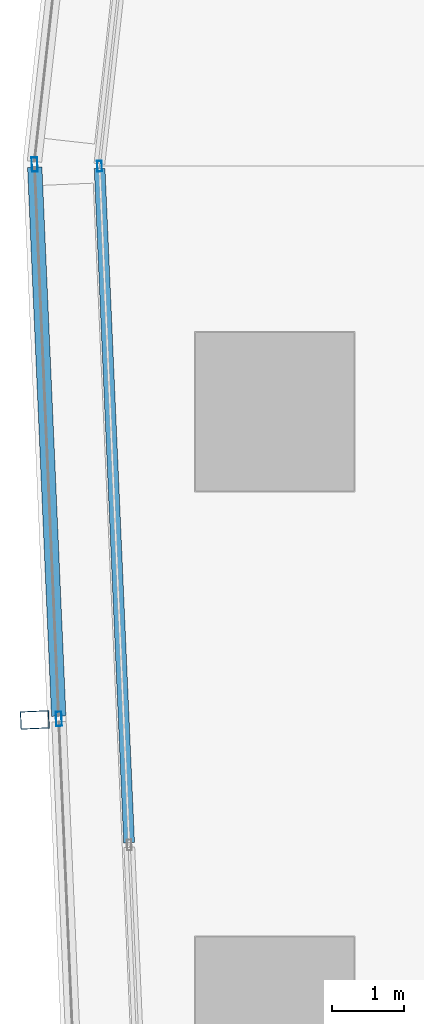
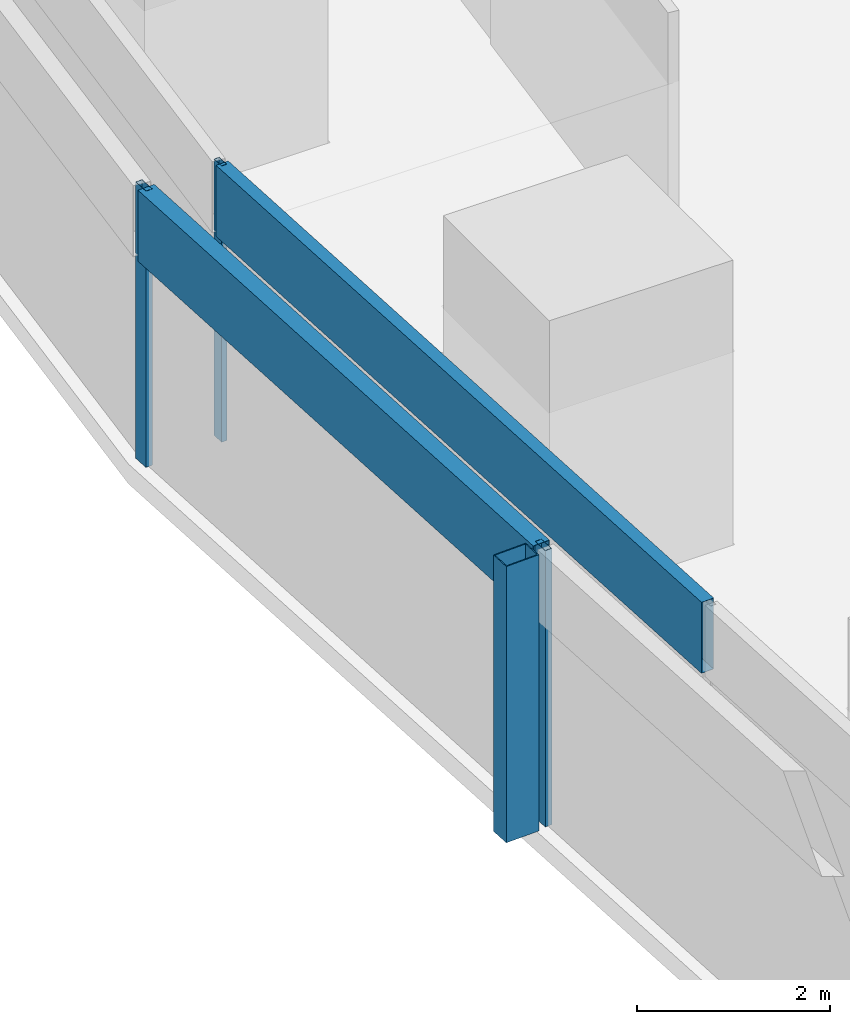
# One storey, part 14 of 44: 6 members, 2 elements without a shape of their own.
"""IFC4 building model written with IfcOpenShell, lengths in metres."""

from ifc_helpers import new_model, si_unit, direction, frame, origin, origin_2d, place, context, subcontext, project, spatial, hollow_rectangle, extrude, material, material_profile, profile_set, type_object, element, aggregate, save


model = new_model("IFC4")

# Units and contexts
model_context = context("Model", 3, precision=1e-05, world=origin(), true_north=direction((0.0, 1.0)))
body_context = subcontext(model_context, "Body", "Model", "MODEL_VIEW")
ifc_project = project(units=[si_unit("LENGTHUNIT", "METRE"), si_unit("AREAUNIT", "SQUARE_METRE"), si_unit("VOLUMEUNIT", "CUBIC_METRE"), si_unit("PLANEANGLEUNIT", "RADIAN"), si_unit("MASSUNIT", "GRAM", prefix="KILO")], contexts=[model_context])

# Site, building, storey
site_placement = place(None, origin())
site = spatial("IfcSite", under=ifc_project, at=site_placement, CompositionType="ELEMENT")
building_placement = place(site_placement, origin())
building = spatial("IfcBuilding", under=site, at=building_placement, Name="Rekha Terrace Tower", CompositionType="ELEMENT")
storey_placement = place(building_placement, frame((0.0, 0.0, 74.14990234375)))
storey = spatial("IfcBuildingStorey", under=building, at=storey_placement, Name="L18", CompositionType="ELEMENT", Elevation=74.14990234375)

# Curtain wall, member
ifc_material_1 = material(Name="Aluminium framing", Category="aluminium")
curtain_wall_type_1 = type_object("IfcCurtainWallType", Name="CW2 double skin outer glazing", PredefinedType="USERDEFINED", material=ifc_material_1)
curtain_wall_1_placement = place(storey_placement, origin())
curtain_wall_1 = element("IfcCurtainWall", 1, at=curtain_wall_1_placement, inside=storey, type_object=curtain_wall_type_1, Name="CW2 double skin outer glazing", ObjectType="DOUBLE SKIN OUTER GLAZING", PredefinedType="USERDEFINED")
ifc_material_2 = material(Name="Steel S355 with fluorocarbon finish", Category="steel")
ifc_material_profile_1 = material_profile(ifc_material_2, hollow_rectangle(XDim=0.25, YDim=0.39990234375, WallThickness=0.012451171875, at=origin_2d()), Name="RHS400x250x12.5")
ifc_profile_set_1 = profile_set([ifc_material_profile_1], Name="Steel S355 with fluorocarbon finish")
member_type_1 = type_object("IfcMemberType", Name="BL1 facade blade RHS 400 x 250", PredefinedType="USERDEFINED", material=ifc_profile_set_1)
member_1_placement = place(storey_placement, frame((5.064208984375, 37.715576171875, 0.0), z_axis=(0.0, 0.0, 1.0), x_axis=(0.04368215933, -0.999045478923, 0.0)))
member_1 = element("IfcMember", 2, at=member_1_placement, type_object=member_type_1, Name="Facade blade", ObjectType="FACADE BLADE", PredefinedType="USERDEFINED", context=body_context, shape_type="SweptSolid", body=[
    extrude(hollow_rectangle(XDim=0.25, YDim=0.39990234375, WallThickness=0.012451171875, at=origin_2d()), origin(), (0.0, 0.0, 1.0), 3.5),
])

# Curtain wall, members
curtain_wall_type_2 = type_object("IfcCurtainWallType", Name="CW1 double skin inner glazing", PredefinedType="USERDEFINED", material=ifc_material_1)
curtain_wall_2_placement = place(storey_placement, origin())
curtain_wall_2 = element("IfcCurtainWall", 3, at=curtain_wall_2_placement, inside=storey, type_object=curtain_wall_type_2, Name="CW1 double skin inner glazing", ObjectType="DOUBLE SKIN INNER GLAZING", PredefinedType="USERDEFINED")
ifc_material_3 = material(Name="Aluminium mullion section", Category="aluminium")
ifc_material_profile_2 = material_profile(ifc_material_3, hollow_rectangle(XDim=0.06494140625, YDim=0.14990234375, WallThickness=0.00390625, at=origin_2d()), Name="AL RHS 65x150")
ifc_profile_set_2 = profile_set([ifc_material_profile_2], Name="Aluminium mullion section")
member_type_2 = type_object("IfcMemberType", Name="CW1 mullion RHS 65 x 150", PredefinedType="MULLION", material=ifc_profile_set_2)
member_2_placement = place(storey_placement, frame((5.964111328125, 45.4111328125, 0.0), z_axis=(0.0, 0.0, 1.0), x_axis=(0.999045462133, 0.043682543337, 0.0)))
member_2 = element("IfcMember", 4, at=member_2_placement, type_object=member_type_2, Name="CW1 mullion 1", PredefinedType="MULLION", context=body_context, shape_type="SweptSolid", body=[
    extrude(hollow_rectangle(XDim=0.06494140625, YDim=0.14990234375, WallThickness=0.00390625, at=origin_2d()), origin(), (0.0, 0.0, 1.0), 3.5),
])
ifc_material_4 = material(Name="Insulated aluminium spandrel box", Category="aluminium")
ifc_material_profile_3 = material_profile(ifc_material_4, hollow_rectangle(XDim=0.14990234375, YDim=0.89990234375, WallThickness=0.0029296875, at=origin_2d()), Name="AL SPANDREL BOX 150x900")
ifc_profile_set_3 = profile_set([ifc_material_profile_3], Name="Insulated aluminium spandrel box")
member_type_3 = type_object("IfcMemberType", Name="CW1 spandrel transom 150 x 900", PredefinedType="USERDEFINED", material=ifc_profile_set_3)
member_3_placement = place(storey_placement, frame((5.96533203125, 45.378662109375, 3.050048828125), z_axis=(0.043689187094, -0.999045171617, 0.0), x_axis=(0.999045171617, 0.043689187094, 0.0)))
member_3 = element("IfcMember", 5, at=member_3_placement, type_object=member_type_3, Name="CW1 spandrel transom 1", ObjectType="TRANSOM", PredefinedType="USERDEFINED", context=body_context, shape_type="SweptSolid", body=[
    extrude(hollow_rectangle(XDim=0.14990234375, YDim=0.89990234375, WallThickness=0.0029296875, at=origin_2d()), origin(), (0.0, 0.0, 1.0), 9.376953125),
])
aggregate(curtain_wall_2, [member_2, member_3])

# Member
ifc_material_profile_4 = material_profile(ifc_material_3, hollow_rectangle(XDim=0.080078125, YDim=0.199951171875, WallThickness=0.00390625, at=origin_2d()), Name="AL RHS 80x200")
ifc_profile_set_4 = profile_set([ifc_material_profile_4], Name="Aluminium mullion section")
member_type_4 = type_object("IfcMemberType", Name="CW2 mullion RHS 80 x 200", PredefinedType="MULLION", material=ifc_profile_set_4)
member_4_placement = place(storey_placement, frame((5.062255859375, 45.4345703125, 0.0), z_axis=(0.0, 0.0, 1.0), x_axis=(0.999045462131, 0.043682543372, 0.0)))
member_4 = element("IfcMember", 6, at=member_4_placement, type_object=member_type_4, Name="CW2 mullion 1", PredefinedType="MULLION", context=body_context, shape_type="SweptSolid", body=[
    extrude(hollow_rectangle(XDim=0.080078125, YDim=0.199951171875, WallThickness=0.00390625, at=origin_2d()), origin(), (0.0, 0.0, 1.0), 3.5),
])

member_5_placement = place(storey_placement, frame((5.39892578125, 37.730224609375, 0.0), z_axis=(0.0, 0.0, 1.0), x_axis=(0.999045462131, 0.043682543372, 0.0)))
member_5 = element("IfcMember", 7, at=member_5_placement, type_object=member_type_4, Name="CW2 mullion 2", PredefinedType="MULLION", context=body_context, shape_type="SweptSolid", body=[
    extrude(hollow_rectangle(XDim=0.080078125, YDim=0.199951171875, WallThickness=0.00390625, at=origin_2d()), origin(), (0.0, 0.0, 1.0), 3.5),
])

ifc_material_profile_5 = material_profile(ifc_material_4, hollow_rectangle(XDim=0.199951171875, YDim=0.89990234375, WallThickness=0.0029296875, at=origin_2d()), Name="AL SPANDREL BOX 200x900")
ifc_profile_set_5 = profile_set([ifc_material_profile_5], Name="Insulated aluminium spandrel box")
member_type_5 = type_object("IfcMemberType", Name="CW2 spandrel transom 200 x 900", PredefinedType="USERDEFINED", material=ifc_profile_set_5)
member_6_placement = place(storey_placement, frame((5.06396484375, 45.39453125, 3.050048828125), z_axis=(0.043666283256, -0.99904617296, 0.0), x_axis=(0.99904617296, 0.043666283256, 0.0)))
member_6 = element("IfcMember", 8, at=member_6_placement, type_object=member_type_5, Name="CW2 spandrel transom 1", ObjectType="TRANSOM", PredefinedType="USERDEFINED", context=body_context, shape_type="SweptSolid", body=[
    extrude(hollow_rectangle(XDim=0.199951171875, YDim=0.89990234375, WallThickness=0.0029296875, at=origin_2d()), origin(), (0.0, 0.0, 1.0), 7.6318359375),
])

aggregate(curtain_wall_1, [member_4, member_5, member_6, member_1])

save(model, "model.ifc")
